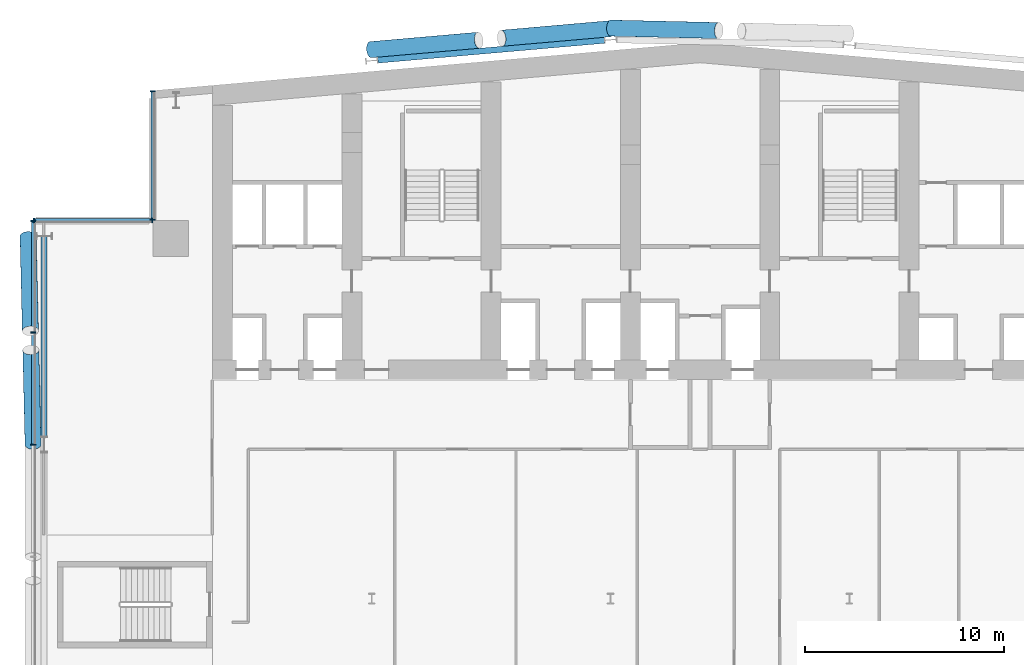
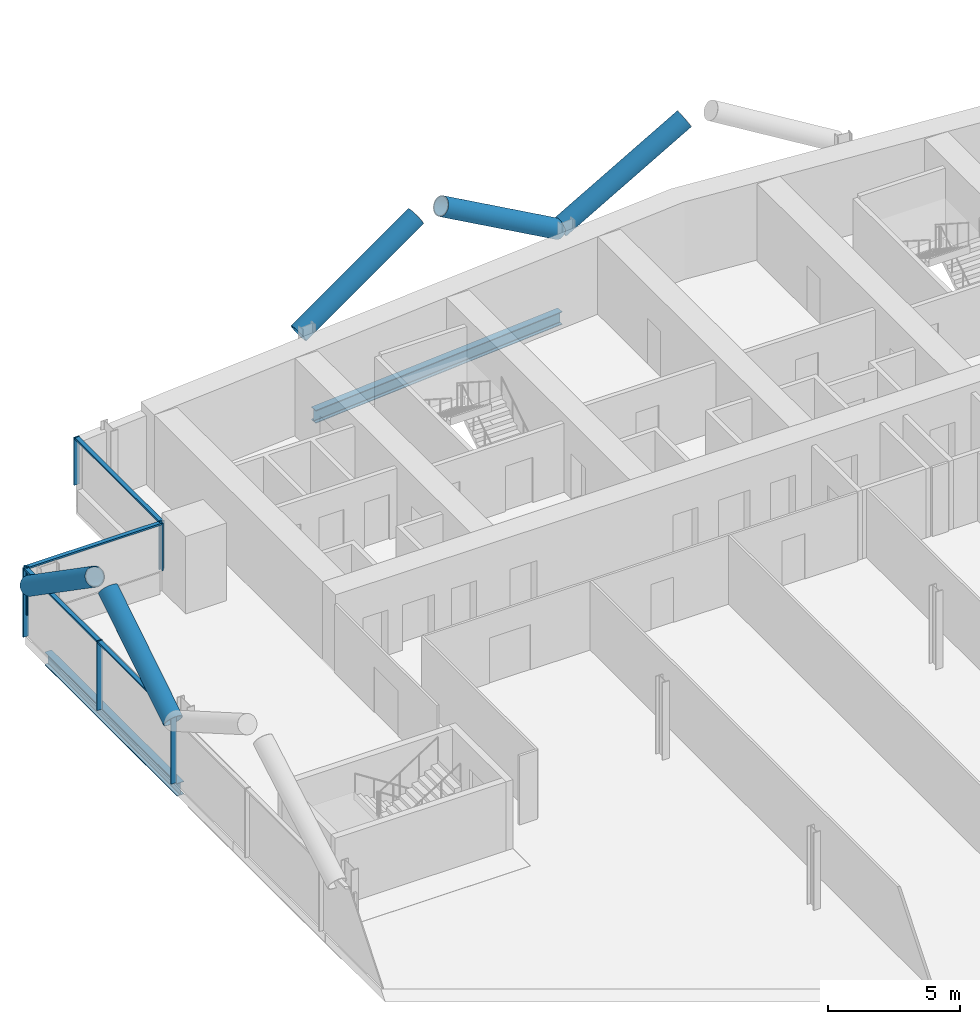
# One storey, part 8 of 25: 16 members, 2 beams, 3 elements without a shape of their own.
"""IFC4 building model written with IfcOpenShell, lengths in metres."""

from ifc_helpers import new_model, si_unit, direction, frame, origin, origin_2d, place, context, subcontext, project, spatial, rectangle, hollow_circle, i_section, extrude, material, material_profile, profile_set, type_object, element, aggregate, save


model = new_model("IFC4")

# Units and contexts
model_context = context("Model", 3, precision=1e-05, world=origin(), true_north=direction((0.0, 1.0)))
body_context = subcontext(model_context, "Body", "Model", "MODEL_VIEW")
ifc_project = project(units=[si_unit("LENGTHUNIT", "METRE"), si_unit("AREAUNIT", "SQUARE_METRE"), si_unit("VOLUMEUNIT", "CUBIC_METRE"), si_unit("PLANEANGLEUNIT", "RADIAN"), si_unit("MASSUNIT", "GRAM", prefix="KILO")], contexts=[model_context])

# Site, building, storey
site_placement = place(None, origin())
site = spatial("IfcSite", under=ifc_project, at=site_placement, CompositionType="ELEMENT")
building_placement = place(site_placement, origin())
building = spatial("IfcBuilding", under=site, at=building_placement, Name="Wharfspan Tower", CompositionType="ELEMENT")
storey_placement = place(building_placement, frame((0.0, 0.0, 121.899902)))
storey = spatial("IfcBuildingStorey", under=building, at=storey_placement, Name="L28", CompositionType="ELEMENT", Elevation=121.899902)

# Beams
ifc_material_1 = material(Name="Steel S355J2", Category="steel")
ifc_material_profile_1 = material_profile(ifc_material_1, i_section(OverallWidth=0.300049, OverallDepth=0.600098, WebThickness=0.015381, FlangeThickness=0.030029, FilletRadius=0.0271, at=origin_2d()))
ifc_profile_set_1 = profile_set([ifc_material_profile_1], Name="Steel S355J2")
beam_type = type_object("IfcBeamType", Name="Edge beam HEB 600", PredefinedType="SPANDREL", material=ifc_profile_set_1)
beam_1_placement = place(storey_placement, frame((35.695068, 51.050537, -0.699951), z_axis=(-0.996194, -0.087162, 0.0), x_axis=(0.087162, -0.996194, 0.0)))
element("IfcBeam", 1, at=beam_1_placement, inside=storey, type_object=beam_type, Name="Edge beam N1 L28 R.2 to R.1", PredefinedType="SPANDREL", context=body_context, shape_type="SweptSolid", body=[
    extrude(i_section(OverallWidth=0.300049, OverallDepth=0.600098, WebThickness=0.015381, FlangeThickness=0.030029, FilletRadius=0.0271, at=origin_2d()), origin(), (0.0, 0.0, 1.0), 11.433594),
])
beam_2_placement = place(storey_placement, frame((7.544434, 41.201416, -0.699951), z_axis=(-0.000412, -1.0, 0.0), x_axis=(1.0, -0.000412, 0.0)))
element("IfcBeam", 2, at=beam_2_placement, inside=storey, type_object=beam_type, Name="Edge beam W L28 PNRW-H.1 to PW.1", PredefinedType="SPANDREL", context=body_context, shape_type="SweptSolid", body=[
    extrude(i_section(OverallWidth=0.300049, OverallDepth=0.600098, WebThickness=0.015381, FlangeThickness=0.030029, FilletRadius=0.0271, at=origin_2d()), origin(), (0.0, 0.0, 1.0), 10.065186),
])

# Curtain wall, members
ifc_material_2 = material(Name="Aluminium 6063-T6", Category="aluminium")
curtain_wall_type = type_object("IfcCurtainWallType", Name="CURTAIN WALL PROW AND END", PredefinedType="NOTDEFINED", material=ifc_material_2)
curtain_wall_1_placement = place(storey_placement, origin())
curtain_wall_1 = element("IfcCurtainWall", 3, at=curtain_wall_1_placement, inside=storey, type_object=curtain_wall_type, Name="Curtain wall NRW-V", PredefinedType="NOTDEFINED")
ifc_material_profile_2 = material_profile(ifc_material_2, rectangle(XDim=0.23999, YDim=0.060059, at=origin_2d()))
ifc_profile_set_2 = profile_set([ifc_material_profile_2], Name="Aluminium 6063-T6")
member_type_1 = type_object("IfcMemberType", Name="MULLION PROW AND END 60x240", PredefinedType="MULLION", material=ifc_profile_set_2)
member_1_placement = place(storey_placement, frame((13.0, 48.494873, 1.0), z_axis=(0.0, 0.0, 1.0), x_axis=(1.0, 0.0, 0.0)))
member_1 = element("IfcMember", 4, at=member_1_placement, type_object=member_type_1, Name="Curtain wall NRW-V mullion 1", PredefinedType="MULLION", context=body_context, shape_type="SweptSolid", body=[
    extrude(rectangle(XDim=0.23999, YDim=0.060059, at=origin_2d()), origin(), (0.0, 0.0, 1.0), 2.200195),
])
member_2_placement = place(storey_placement, frame((13.0, 42.030029, 1.0), z_axis=(0.0, 0.0, 1.0), x_axis=(1.0, 0.0, 0.0)))
member_2 = element("IfcMember", 5, at=member_2_placement, type_object=member_type_1, Name="Curtain wall NRW-V mullion 2", PredefinedType="MULLION", context=body_context, shape_type="SweptSolid", body=[
    extrude(rectangle(XDim=0.23999, YDim=0.060059, at=origin_2d()), origin(), (0.0, 0.0, 1.0), 2.200195),
])

curtain_wall_2_placement = place(storey_placement, origin())
curtain_wall_2 = element("IfcCurtainWall", 6, at=curtain_wall_2_placement, inside=storey, type_object=curtain_wall_type, Name="Curtain wall NRW-H", PredefinedType="NOTDEFINED")
member_3_placement = place(storey_placement, frame((12.969971, 42.0, 1.0), z_axis=(0.0, 0.0, 1.0), x_axis=(0.0, -1.0, 0.0)))
member_3 = element("IfcMember", 7, at=member_3_placement, type_object=member_type_1, Name="Curtain wall NRW-H mullion 1", PredefinedType="MULLION", context=body_context, shape_type="SweptSolid", body=[
    extrude(rectangle(XDim=0.23999, YDim=0.060059, at=origin_2d()), origin(), (0.0, 0.0, 1.0), 2.200195),
])
member_4_placement = place(storey_placement, frame((7.030029, 42.0, 1.0), z_axis=(0.0, 0.0, 1.0), x_axis=(0.0, -1.0, 0.0)))
member_4 = element("IfcMember", 8, at=member_4_placement, type_object=member_type_1, Name="Curtain wall NRW-H mullion 2", PredefinedType="MULLION", context=body_context, shape_type="SweptSolid", body=[
    extrude(rectangle(XDim=0.23999, YDim=0.060059, at=origin_2d()), origin(), (0.0, 0.0, 1.0), 2.200195),
])

curtain_wall_3_placement = place(storey_placement, origin())
curtain_wall_3 = element("IfcCurtainWall", 9, at=curtain_wall_3_placement, inside=storey, type_object=curtain_wall_type, Name="Curtain wall W", PredefinedType="NOTDEFINED")
member_5_placement = place(storey_placement, frame((7.0, 41.969971, 0.0), z_axis=(0.0, 0.0, 1.0), x_axis=(1.0, 0.0, 0.0)))
member_5 = element("IfcMember", 10, at=member_5_placement, type_object=member_type_1, Name="Curtain wall W mullion 1", PredefinedType="MULLION", context=body_context, shape_type="SweptSolid", body=[
    extrude(rectangle(XDim=0.23999, YDim=0.060059, at=origin_2d()), origin(), (0.0, 0.0, 1.0), 3.200195),
])
member_6_placement = place(storey_placement, frame((7.0, 36.366699, 0.0), z_axis=(0.0, 0.0, 1.0), x_axis=(1.0, 0.0, 0.0)))
member_6 = element("IfcMember", 11, at=member_6_placement, type_object=member_type_1, Name="Curtain wall W mullion 2", PredefinedType="MULLION", context=body_context, shape_type="SweptSolid", body=[
    extrude(rectangle(XDim=0.23999, YDim=0.060059, at=origin_2d()), origin(), (0.0, 0.0, 1.0), 3.200195),
])
member_7_placement = place(storey_placement, frame((7.0, 30.733398, 0.0), z_axis=(0.0, 0.0, 1.0), x_axis=(1.0, 0.0, 0.0)))
member_7 = element("IfcMember", 12, at=member_7_placement, type_object=member_type_1, Name="Curtain wall W mullion 3", PredefinedType="MULLION", context=body_context, shape_type="SweptSolid", body=[
    extrude(rectangle(XDim=0.23999, YDim=0.060059, at=origin_2d()), origin(), (0.0, 0.0, 1.0), 3.200195),
])

# Members
ifc_material_3 = material(Name="Steel S460NH", Category="steel")
ifc_material_profile_3 = material_profile(ifc_material_3, hollow_circle(Radius=0.406494, WallThickness=0.040039, at=origin_2d()))
ifc_profile_set_3 = profile_set([ifc_material_profile_3], Name="Steel S460NH")
member_type_2 = type_object("IfcMemberType", Name="Mega brace CHS 813x40", PredefinedType="BRACE", material=ifc_profile_set_3)
member_8_placement = place(storey_placement, frame((6.734131, 41.208008, 2.900146), z_axis=(0.019723, -0.823946, 0.566325), x_axis=(0.999713, 0.023929, -2e-06)))
element("IfcMember", 13, at=member_8_placement, inside=storey, type_object=member_type_2, Name="Mega brace W4 L29 part 1", PredefinedType="BRACE", context=body_context, shape_type="SweptSolid", body=[
    extrude(hollow_circle(Radius=0.406494, WallThickness=0.040039, at=origin_2d()), origin(), (0.0, 0.0, 1.0), 5.768555),
])
member_9_placement = place(storey_placement, frame((6.985107, 30.733398, 2.900146), z_axis=(-0.019766, 0.823932, 0.566344), x_axis=(-0.999712, -0.023985, 3e-06)))
element("IfcMember", 14, at=member_9_placement, inside=storey, type_object=member_type_2, Name="Mega brace W4 L29 part 3", PredefinedType="BRACE", context=body_context, shape_type="SweptSolid", body=[
    extrude(hollow_circle(Radius=0.406494, WallThickness=0.040039, at=origin_2d()), origin(), (0.0, 0.0, 1.0), 5.768311),
])
member_10_placement = place(storey_placement, frame((36.012939, 51.665771, 2.900146), z_axis=(0.857317, -0.019649, 0.514413), x_axis=(0.022912, 0.999739, 2e-06)))
element("IfcMember", 15, at=member_10_placement, inside=storey, type_object=member_type_2, Name="Mega brace N7 L29 part 1", PredefinedType="BRACE", context=body_context, shape_type="SweptSolid", body=[
    extrude(hollow_circle(Radius=0.406494, WallThickness=0.040039, at=origin_2d()), origin(), (0.0, 0.0, 1.0), 6.324463),
])
member_11_placement = place(storey_placement, frame((23.95166, 50.581299, 2.900146), z_axis=(0.855096, 0.074778, 0.51305), x_axis=(-0.087117, 0.996194, 0.0)))
element("IfcMember", 16, at=member_11_placement, inside=storey, type_object=member_type_2, Name="Mega brace N8 L29 part 1", PredefinedType="BRACE", context=body_context, shape_type="SweptSolid", body=[
    extrude(hollow_circle(Radius=0.406494, WallThickness=0.040039, at=origin_2d()), origin(), (0.0, 0.0, 1.0), 6.340332),
])
member_12_placement = place(storey_placement, frame((35.95166, 51.631104, 2.900146), z_axis=(-0.855103, -0.074814, 0.513031), x_axis=(0.087159, -0.996196, 1e-06)))
element("IfcMember", 17, at=member_12_placement, inside=storey, type_object=member_type_2, Name="Mega brace N8 L29 part 3", PredefinedType="BRACE", context=body_context, shape_type="SweptSolid", body=[
    extrude(hollow_circle(Radius=0.406494, WallThickness=0.040039, at=origin_2d()), origin(), (0.0, 0.0, 1.0), 6.340576),
])

# Member
ifc_material_profile_4 = material_profile(ifc_material_2, rectangle(XDim=0.179932, YDim=0.080078, at=origin_2d()))
ifc_profile_set_4 = profile_set([ifc_material_profile_4], Name="Aluminium 6063-T6")
member_type_3 = type_object("IfcMemberType", Name="TRANSOM PROW AND END 80x180", PredefinedType="USERDEFINED", material=ifc_profile_set_4)
member_13_placement = place(storey_placement, frame((13.0, 48.464844, 3.160156), z_axis=(0.0, -1.0, 0.0), x_axis=(1.0, 0.0, 0.0)))
member_13 = element("IfcMember", 18, at=member_13_placement, type_object=member_type_3, Name="Curtain wall NRW-V transom 1", ObjectType="TRANSOM", PredefinedType="USERDEFINED", context=body_context, shape_type="SweptSolid", body=[
    extrude(rectangle(XDim=0.179932, YDim=0.080078, at=origin_2d()), origin(), (0.0, 0.0, 1.0), 6.404785),
])

aggregate(curtain_wall_1, [member_1, member_2, member_13])

member_14_placement = place(storey_placement, frame((12.939941, 42.0, 3.160156), z_axis=(-1.0, 0.0, 0.0), x_axis=(0.0, -1.0, 0.0)))
member_14 = element("IfcMember", 19, at=member_14_placement, type_object=member_type_3, Name="Curtain wall NRW-H transom 1", ObjectType="TRANSOM", PredefinedType="USERDEFINED", context=body_context, shape_type="SweptSolid", body=[
    extrude(rectangle(XDim=0.179932, YDim=0.080078, at=origin_2d()), origin(), (0.0, 0.0, 1.0), 5.879883),
])

aggregate(curtain_wall_2, [member_3, member_4, member_14])

member_15_placement = place(storey_placement, frame((7.0, 41.939941, 3.160156), z_axis=(0.0, -1.0, 0.0), x_axis=(1.0, 0.0, 0.0)))
member_15 = element("IfcMember", 20, at=member_15_placement, type_object=member_type_3, Name="Curtain wall W transom 1", ObjectType="TRANSOM", PredefinedType="USERDEFINED", context=body_context, shape_type="SweptSolid", body=[
    extrude(rectangle(XDim=0.179932, YDim=0.080078, at=origin_2d()), origin(), (0.0, 0.0, 1.0), 5.543213),
])

member_16_placement = place(storey_placement, frame((7.0, 36.33667, 3.160156), z_axis=(0.0, -1.0, 0.0), x_axis=(1.0, 0.0, 0.0)))
member_16 = element("IfcMember", 21, at=member_16_placement, type_object=member_type_3, Name="Curtain wall W transom 2", ObjectType="TRANSOM", PredefinedType="USERDEFINED", context=body_context, shape_type="SweptSolid", body=[
    extrude(rectangle(XDim=0.179932, YDim=0.080078, at=origin_2d()), origin(), (0.0, 0.0, 1.0), 5.573242),
])

aggregate(curtain_wall_3, [member_5, member_6, member_7, member_15, member_16])

save(model, "model.ifc")
